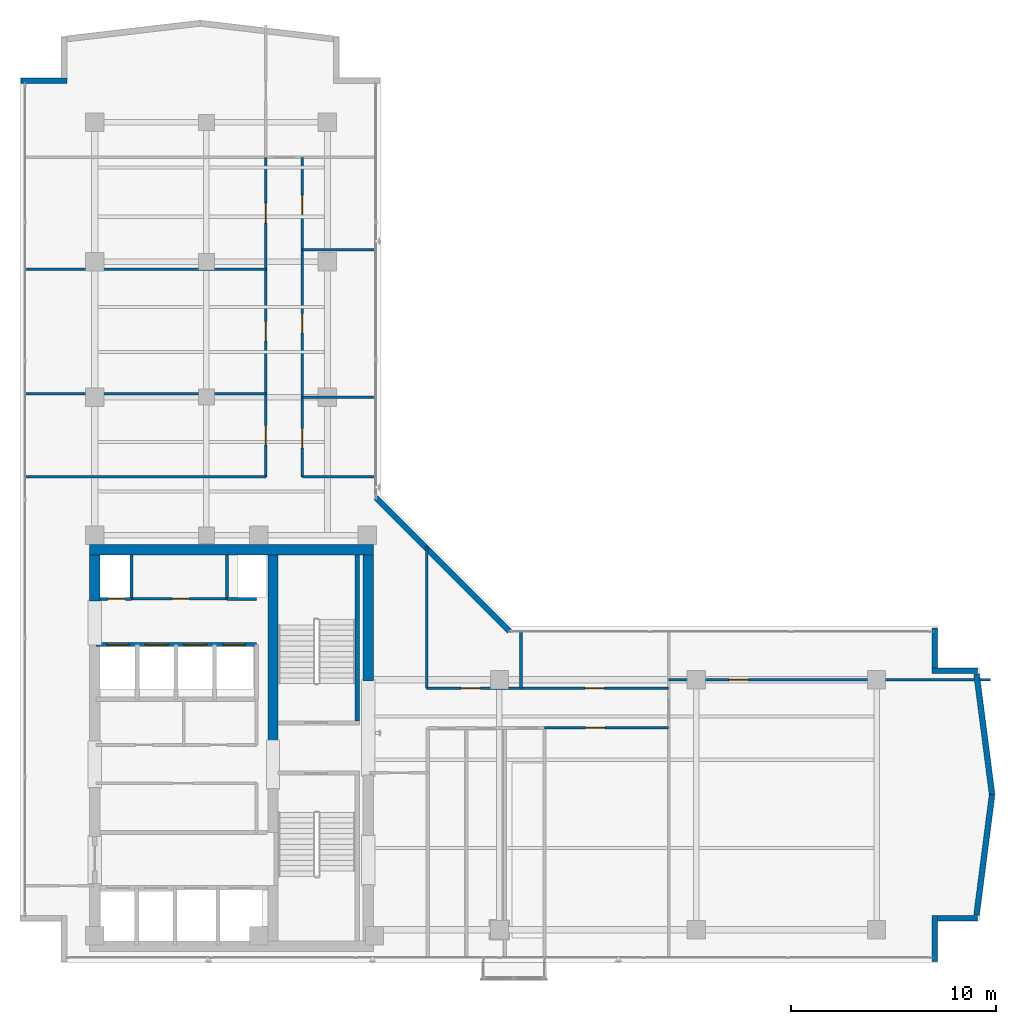
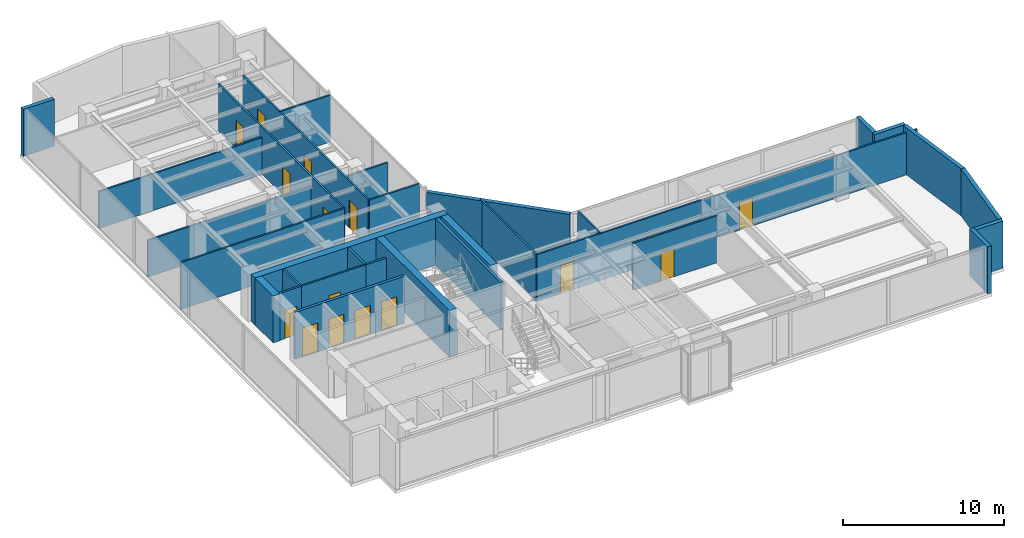
# One storey, part 18 of 22: 32 walls, 16 doors, 16 openings.
"""IFC4 building model written with IfcOpenShell, lengths in metres."""

from ifc_helpers import new_model, si_unit, direction, frame, frame_2d, origin, place, context, subcontext, project, spatial, rectangle, extrude, material, layer, layer_set, type_object, element, fill, save


model = new_model("IFC4")

# Units and contexts
model_context = context("Model", 3, precision=1e-05, world=origin(), true_north=direction((0.0, 1.0)))
body_context = subcontext(model_context, "Body", "Model", "MODEL_VIEW")
ifc_project = project(units=[si_unit("LENGTHUNIT", "METRE"), si_unit("AREAUNIT", "SQUARE_METRE"), si_unit("VOLUMEUNIT", "CUBIC_METRE"), si_unit("PLANEANGLEUNIT", "RADIAN"), si_unit("MASSUNIT", "GRAM", prefix="KILO")], contexts=[model_context])

# Site, building, storey
site_placement = place(None, origin())
site = spatial("IfcSite", under=ifc_project, at=site_placement, CompositionType="ELEMENT")
building_placement = place(site_placement, origin())
building = spatial("IfcBuilding", under=site, at=building_placement, Name="Kolvaren Waterfront Exchange", CompositionType="ELEMENT")
storey_placement = place(building_placement, frame((0.0, 0.0, 262.800048828125)))
storey = spatial("IfcBuildingStorey", under=building, at=storey_placement, Name="L67", CompositionType="ELEMENT", Elevation=262.800048828125)

# Walls
ifc_material_1 = material(Name="Precast concrete C40/50", Category="concrete")
ifc_layer_1 = layer(ifc_material_1, 0.280029296875, Name="Precast concrete C40/50")
ifc_layer_set_1 = layer_set([ifc_layer_1], Name="Precast concrete C40/50")
wall_type_1 = type_object("IfcWallType", Name="ARC-EXT-TERR-280", PredefinedType="SOLIDWALL", material=ifc_layer_set_1)
wall_1_placement = place(storey_placement, frame((48.43994140625, 3.659912109375, 0.0), z_axis=(0.0, 0.0, 1.0), x_axis=(0.0, 1.0, 0.0)))
element("IfcWall", 1, at=wall_1_placement, inside=storey, type_object=wall_type_1, Name="L67 notched corner spandrel pier SE-A", PredefinedType="SOLIDWALL", context=body_context, shape_type="SweptSolid", body=[
    extrude(rectangle(XDim=2.239990234375, YDim=0.280029296875, at=frame_2d((1.1201171875, 0.0))), origin(), (0.0, 0.0, 1.0), 3.56005859375),
])
wall_2_placement = place(storey_placement, frame((48.580078125, 5.760009765625, 0.0), z_axis=(0.0, 0.0, 1.0), x_axis=(1.0, 0.0, 0.0)))
element("IfcWall", 2, at=wall_2_placement, inside=storey, type_object=wall_type_1, Name="L67 notched corner spandrel pier SE-B", PredefinedType="SOLIDWALL", context=body_context, shape_type="SweptSolid", body=[
    extrude(rectangle(XDim=1.9599609375, YDim=0.280029296875, at=frame_2d((0.97998046875, 0.0))), origin(), (0.0, 0.0, 1.0), 3.56005859375),
])
wall_3_placement = place(storey_placement, frame((48.43994140625, 17.965087890625, 0.0), z_axis=(0.0, 0.0, 1.0), x_axis=(0.0, 1.0, 0.0)))
element("IfcWall", 3, at=wall_3_placement, inside=storey, type_object=wall_type_1, Name="L67 notched corner spandrel pier ENE-A", PredefinedType="SOLIDWALL", context=body_context, shape_type="SweptSolid", body=[
    extrude(rectangle(XDim=1.974853515625, YDim=0.280029296875, at=frame_2d((0.9873046875, 0.0))), origin(), (0.0, 0.0, 1.0), 3.56005859375),
])
for number, where, z_axis, x_axis, name in (
    (4, (48.300048828125, 17.840087890625, 0.0), (0.0, 0.0, 1.0), (1.0, 0.0, 0.0), "L67 notched corner spandrel pier ENE-B"),
    (5, (3.860107421875, 46.639892578125, 0.0), (0.0, 0.0, 1.0), (1.0, 0.0, 0.0), "L67 notched corner spandrel pier NW-A"),
):
    element("IfcWall", number, at=place(storey_placement, frame(where, z_axis=z_axis, x_axis=x_axis)), inside=storey, type_object=wall_type_1, Name=name, PredefinedType="SOLIDWALL", context=body_context, shape_type="SweptSolid", body=[
        extrude(rectangle(XDim=2.239990234375, YDim=0.280029296875, at=frame_2d((1.1201171875, 0.0))), origin(), (0.0, 0.0, 1.0), 3.56005859375),
    ])
wall_4_placement = place(storey_placement, frame((27.68505859375, 19.77490234375, 0.0), z_axis=(0.0, 0.0, 1.0), x_axis=(-0.707106781187, 0.707106781187, 0.0)))
element("IfcWall", 6, at=wall_4_placement, inside=storey, type_object=wall_type_1, Name="L67 notched corner spandrel pier ELBOW", PredefinedType="SOLIDWALL", context=body_context, shape_type="SweptSolid", body=[
    extrude(rectangle(XDim=9.20654296875, YDim=0.280029296875, at=frame_2d((4.603271484375, 0.0))), origin(), (0.0, 0.0, 1.0), 3.56005859375),
])
for number, where, z_axis, x_axis, name in (
    (7, (50.479736328125, 5.91796875, 0.0), (0.0, 0.0, 1.0), (0.127970031595, 0.991778035154, 0.0), "L67 east prow faceted facade wall 1"),
    (8, (51.23876953125, 11.79931640625, 0.0), (0.0, 0.0, 1.0), (-0.127970031595, 0.991778035154, 0.0), "L67 east prow faceted facade wall 2"),
):
    element("IfcWall", number, at=place(storey_placement, frame(where, z_axis=z_axis, x_axis=x_axis)), inside=storey, type_object=wall_type_1, Name=name, PredefinedType="SOLIDWALL", context=body_context, shape_type="SweptSolid", body=[
        extrude(rectangle(XDim=5.931396484375, YDim=0.280029296875, at=frame_2d((2.9658203125, 0.0))), origin(), (0.0, 0.0, 1.0), 3.56005859375),
    ])

# Wall, opening, door
ifc_material_2 = material(Name="Acoustic gypsum steel stud", Category="steel")
ifc_layer_2 = layer(ifc_material_2, 0.125, Name="Acoustic gypsum steel stud")
ifc_layer_set_2 = layer_set([ifc_layer_2], Name="Acoustic gypsum steel stud")
wall_type_2 = type_object("IfcWallType", Name="ARC-PART-125", PredefinedType="PARTITIONING", material=ifc_layer_set_2)
wall_5_placement = place(storey_placement, frame((9.25, 21.35009765625, 0.0), z_axis=(0.0, 0.0, 1.0), x_axis=(1.0, 0.0, 0.0)))
wall_5 = element("IfcWall", 9, at=wall_5_placement, inside=storey, type_object=wall_type_2, Name="L67 interior wall PW-L67-SVC-HI-S", PredefinedType="PARTITIONING", context=body_context, shape_type="SweptSolid", body=[
    extrude(rectangle(XDim=4.64990234375, YDim=0.125, at=frame_2d((2.324951171875, 0.0))), origin(), (0.0, 0.0, 1.0), 3.56005859375),
])
opening_1_placement = place(wall_5_placement, frame((1.971435546875, 0.0, 0.0)))
opening_1 = element("IfcOpeningElement", 10, at=opening_1_placement, cuts=wall_5, Name="Opening D01", PredefinedType="OPENING", context=body_context, shape_type="SweptSolid", body=[
    extrude(rectangle(XDim=0.85009765625, YDim=2.14990234375, at=frame_2d((0.425048828125, 1.074951171875))), frame((0.0, 0.072509765625, 0.0), z_axis=(0.0, -1.0, 0.0), x_axis=(1.0, 0.0, 0.0)), (0.0, 0.0, 1.0), 0.14501953125),
])
ifc_material_3 = material(Name="Oak veneer timber leaf", Category="wood")
door_type_1 = type_object("IfcDoorType", Name="ARC-DR-900", OperationType="NOTDEFINED", PredefinedType="DOOR", material=ifc_material_3)
door_1_placement = place(opening_1_placement, origin())
door_1 = element("IfcDoor", 11, at=door_1_placement, inside=storey, type_object=door_type_1, Name="L67 door DR-L67-SVC-DR-1 (D01)", OperationType="SINGLE_SWING_RIGHT", OverallHeight=2.14990234375, OverallWidth=0.85009765625, PredefinedType="DOOR", context=body_context, shape_type="SweptSolid", body=[
    extrude(rectangle(XDim=0.85009765625, YDim=2.14990234375, at=frame_2d((0.425048828125, 1.074951171875))), frame((0.0, 0.02490234375, 0.0), z_axis=(0.0, -1.0, 0.0), x_axis=(1.0, 0.0, 0.0)), (0.0, 0.0, 1.0), 0.050048828125),
])
fill(opening_1, door_1)

wall_6_placement = place(storey_placement, frame((29.39990234375, 15.050048828125, 0.0), z_axis=(0.0, 0.0, 1.0), x_axis=(1.0, 0.0, 0.0)))
wall_6 = element("IfcWall", 12, at=wall_6_placement, inside=storey, type_object=wall_type_2, Name="L67 interior wall PW-L67-ES-CORR", PredefinedType="PARTITIONING", context=body_context, shape_type="SweptSolid", body=[
    extrude(rectangle(XDim=6.050048828125, YDim=0.125, at=frame_2d((3.02490234375, 0.0))), origin(), (0.0, 0.0, 1.0), 3.56005859375),
])
opening_2_placement = place(wall_6_placement, frame((2.002197265625, 0.0, 0.0)))
opening_2 = element("IfcOpeningElement", 13, at=opening_2_placement, cuts=wall_6, Name="Opening D02", PredefinedType="OPENING", context=body_context, shape_type="SweptSolid", body=[
    extrude(rectangle(XDim=0.949951171875, YDim=2.14990234375, at=frame_2d((0.47509765625, 1.074951171875))), frame((0.0, 0.072509765625, 0.0), z_axis=(0.0, -1.0, 0.0), x_axis=(1.0, 0.0, 0.0)), (0.0, 0.0, 1.0), 0.14501953125),
])
ifc_material_4 = material(Name="Oak veneer acoustic timber", Category="wood")
door_type_2 = type_object("IfcDoorType", Name="ARC-DR-950", OperationType="NOTDEFINED", PredefinedType="DOOR", material=ifc_material_4)
door_2_placement = place(opening_2_placement, origin())
door_2 = element("IfcDoor", 14, at=door_2_placement, inside=storey, type_object=door_type_2, Name="L67 door DR-L67-ES-D-1 (D02)", OperationType="SINGLE_SWING_RIGHT", OverallHeight=2.14990234375, OverallWidth=0.949951171875, PredefinedType="DOOR", context=body_context, shape_type="SweptSolid", body=[
    extrude(rectangle(XDim=0.949951171875, YDim=2.14990234375, at=frame_2d((0.47509765625, 1.074951171875))), frame((0.0, 0.02490234375, 0.0), z_axis=(0.0, -1.0, 0.0), x_axis=(1.0, 0.0, 0.0)), (0.0, 0.0, 1.0), 0.050048828125),
])
fill(opening_2, door_2)

wall_7_placement = place(storey_placement, frame((35.449951171875, 17.39990234375, 0.0), z_axis=(0.0, 0.0, 1.0), x_axis=(1.0, 0.0, 0.0)))
wall_7 = element("IfcWall", 15, at=wall_7_placement, inside=storey, type_object=wall_type_2, Name="L67 interior wall PW-L67-ETIP-MID", PredefinedType="PARTITIONING", context=body_context, shape_type="SweptSolid", body=[
    extrude(rectangle(XDim=15.7099609375, YDim=0.125, at=frame_2d((7.85498046875, 0.0))), origin(), (0.0, 0.0, 1.0), 3.199951171875),
])
opening_3_placement = place(wall_7_placement, frame((2.949951171875, 0.0, 0.0)))
opening_3 = element("IfcOpeningElement", 16, at=opening_3_placement, cuts=wall_7, Name="Opening D02", PredefinedType="OPENING", context=body_context, shape_type="SweptSolid", body=[
    extrude(rectangle(XDim=0.949951171875, YDim=2.14990234375, at=frame_2d((0.47509765625, 1.074951171875))), frame((0.0, 0.072509765625, 0.0), z_axis=(0.0, -1.0, 0.0), x_axis=(1.0, 0.0, 0.0)), (0.0, 0.0, 1.0), 0.14501953125),
])
door_3_placement = place(opening_3_placement, origin())
door_3 = element("IfcDoor", 17, at=door_3_placement, inside=storey, type_object=door_type_2, Name="L67 door DR-L67-ETIP2-D (D02)", OperationType="SINGLE_SWING_RIGHT", OverallHeight=2.14990234375, OverallWidth=0.949951171875, PredefinedType="DOOR", context=body_context, shape_type="SweptSolid", body=[
    extrude(rectangle(XDim=0.949951171875, YDim=2.14990234375, at=frame_2d((0.47509765625, 1.074951171875))), frame((0.0, 0.02490234375, 0.0), z_axis=(0.0, -1.0, 0.0), x_axis=(1.0, 0.0, 0.0)), (0.0, 0.0, 1.0), 0.050048828125),
])
fill(opening_3, door_3)

# Wall
wall_8_placement = place(storey_placement, frame((23.64990234375, 16.989990234375, 0.0), z_axis=(0.0, 0.0, 1.0), x_axis=(0.0, 1.0, 0.0)))
element("IfcWall", 18, at=wall_8_placement, inside=storey, type_object=wall_type_2, Name="L67 interior wall PW-L67-EN-W0", PredefinedType="PARTITIONING", context=body_context, shape_type="SweptSolid", body=[
    extrude(rectangle(XDim=6.919921875, YDim=0.125, at=frame_2d((3.4599609375, 0.0))), origin(), (0.0, 0.0, 1.0), 3.56005859375),
])

# Wall, openings, doors
wall_9_placement = place(storey_placement, frame((23.64990234375, 16.989990234375, 0.0), z_axis=(0.0, 0.0, 1.0), x_axis=(1.0, 0.0, 0.0)))
wall_9 = element("IfcWall", 19, at=wall_9_placement, inside=storey, type_object=wall_type_2, Name="L67 interior wall PW-L67-EN-CORR", PredefinedType="PARTITIONING", context=body_context, shape_type="SweptSolid", body=[
    extrude(rectangle(XDim=11.800048828125, YDim=0.125, at=frame_2d((5.89990234375, 0.0))), origin(), (0.0, 0.0, 1.0), 3.56005859375),
])
opening_4_placement = place(wall_9_placement, frame((1.6826171875, 0.0, 0.0)))
opening_4 = element("IfcOpeningElement", 20, at=opening_4_placement, cuts=wall_9, Name="Opening D02", PredefinedType="OPENING", context=body_context, shape_type="SweptSolid", body=[
    extrude(rectangle(XDim=0.949951171875, YDim=2.14990234375, at=frame_2d((0.47509765625, 1.074951171875))), frame((0.0, 0.072509765625, 0.0), z_axis=(0.0, -1.0, 0.0), x_axis=(1.0, 0.0, 0.0)), (0.0, 0.0, 1.0), 0.14501953125),
])
opening_5_placement = place(wall_9_placement, frame((7.72509765625, 0.0, 0.0)))
opening_5 = element("IfcOpeningElement", 21, at=opening_5_placement, cuts=wall_9, Name="Opening D02", PredefinedType="OPENING", context=body_context, shape_type="SweptSolid", body=[
    extrude(rectangle(XDim=0.949951171875, YDim=2.14990234375, at=frame_2d((0.47509765625, 1.074951171875))), frame((0.0, 0.072509765625, 0.0), z_axis=(0.0, -1.0, 0.0), x_axis=(1.0, 0.0, 0.0)), (0.0, 0.0, 1.0), 0.14501953125),
])
door_4_placement = place(opening_4_placement, origin())
door_4 = element("IfcDoor", 22, at=door_4_placement, inside=storey, type_object=door_type_2, Name="L67 door DR-L67-EN-D-1 (D02)", OperationType="SINGLE_SWING_LEFT", OverallHeight=2.14990234375, OverallWidth=0.949951171875, PredefinedType="DOOR", context=body_context, shape_type="SweptSolid", body=[
    extrude(rectangle(XDim=0.949951171875, YDim=2.14990234375, at=frame_2d((0.47509765625, 1.074951171875))), frame((0.0, 0.02490234375, 0.0), z_axis=(0.0, -1.0, 0.0), x_axis=(1.0, 0.0, 0.0)), (0.0, 0.0, 1.0), 0.050048828125),
])
fill(opening_4, door_4)
door_5_placement = place(opening_5_placement, origin())
door_5 = element("IfcDoor", 23, at=door_5_placement, inside=storey, type_object=door_type_2, Name="L67 door DR-L67-EN-D-2 (D02)", OperationType="SINGLE_SWING_RIGHT", OverallHeight=2.14990234375, OverallWidth=0.949951171875, PredefinedType="DOOR", context=body_context, shape_type="SweptSolid", body=[
    extrude(rectangle(XDim=0.949951171875, YDim=2.14990234375, at=frame_2d((0.47509765625, 1.074951171875))), frame((0.0, 0.02490234375, 0.0), z_axis=(0.0, -1.0, 0.0), x_axis=(1.0, 0.0, 0.0)), (0.0, 0.0, 1.0), 0.050048828125),
])
fill(opening_5, door_5)

# Walls
wall_10_placement = place(storey_placement, frame((28.25, 16.989990234375, 0.0), z_axis=(0.0, 0.0, 1.0), x_axis=(0.0, 1.0, 0.0)))
element("IfcWall", 24, at=wall_10_placement, inside=storey, type_object=wall_type_2, Name="L67 interior wall PW-L67-EN-DIV-1", PredefinedType="PARTITIONING", context=body_context, shape_type="SweptSolid", body=[
    extrude(rectangle(XDim=2.77001953125, YDim=0.125, at=frame_2d((1.385009765625, 0.0))), origin(), (0.0, 0.0, 1.0), 3.56005859375),
])
wall_11_placement = place(storey_placement, frame((4.0400390625, 27.300048828125, 0.0), z_axis=(0.0, 0.0, 1.0), x_axis=(1.0, 0.0, 0.0)))
element("IfcWall", 25, at=wall_11_placement, inside=storey, type_object=wall_type_2, Name="L67 interior wall PW-L67-NW-S0", PredefinedType="PARTITIONING", context=body_context, shape_type="SweptSolid", body=[
    extrude(rectangle(XDim=11.760009765625, YDim=0.125, at=frame_2d((5.8798828125, 0.0))), origin(), (0.0, 0.0, 1.0), 3.56005859375),
])

# Wall, openings, doors
wall_12_placement = place(storey_placement, frame((15.800048828125, 27.300048828125, 0.0), z_axis=(0.0, 0.0, 1.0), x_axis=(0.0, 1.0, 0.0)))
wall_12 = element("IfcWall", 26, at=wall_12_placement, inside=storey, type_object=wall_type_2, Name="L67 interior wall PW-L67-NW-CORR", PredefinedType="PARTITIONING", context=body_context, shape_type="SweptSolid", body=[
    extrude(rectangle(XDim=15.599853515625, YDim=0.125, at=frame_2d((7.7998046875, 0.0))), origin(), (0.0, 0.0, 1.0), 3.56005859375),
])
opening_6_placement = place(wall_12_placement, frame((1.554931640625, 0.0, 0.0)))
opening_6 = element("IfcOpeningElement", 27, at=opening_6_placement, cuts=wall_12, Name="Opening D02", PredefinedType="OPENING", context=body_context, shape_type="SweptSolid", body=[
    extrude(rectangle(XDim=0.949951171875, YDim=2.14990234375, at=frame_2d((0.47509765625, 1.074951171875))), frame((0.0, 0.072509765625, 0.0), z_axis=(0.0, -1.0, 0.0), x_axis=(1.0, 0.0, 0.0)), (0.0, 0.0, 1.0), 0.14501953125),
])
opening_7_placement = place(wall_12_placement, frame((6.625, 0.0, 0.0)))
opening_7 = element("IfcOpeningElement", 28, at=opening_7_placement, cuts=wall_12, Name="Opening D02", PredefinedType="OPENING", context=body_context, shape_type="SweptSolid", body=[
    extrude(rectangle(XDim=0.949951171875, YDim=2.14990234375, at=frame_2d((0.47509765625, 1.074951171875))), frame((0.0, 0.072509765625, 0.0), z_axis=(0.0, -1.0, 0.0), x_axis=(1.0, 0.0, 0.0)), (0.0, 0.0, 1.0), 0.14501953125),
])
opening_8_placement = place(wall_12_placement, frame((12.39501953125, 0.0, 0.0)))
opening_8 = element("IfcOpeningElement", 29, at=opening_8_placement, cuts=wall_12, Name="Opening D02", PredefinedType="OPENING", context=body_context, shape_type="SweptSolid", body=[
    extrude(rectangle(XDim=0.949951171875, YDim=2.14990234375, at=frame_2d((0.47509765625, 1.074951171875))), frame((0.0, 0.072509765625, 0.0), z_axis=(0.0, -1.0, 0.0), x_axis=(1.0, 0.0, 0.0)), (0.0, 0.0, 1.0), 0.14501953125),
])
door_6_placement = place(opening_6_placement, origin())
door_6 = element("IfcDoor", 30, at=door_6_placement, inside=storey, type_object=door_type_2, Name="L67 door DR-L67-NW-D-1 (D02)", OperationType="SINGLE_SWING_LEFT", OverallHeight=2.14990234375, OverallWidth=0.949951171875, PredefinedType="DOOR", context=body_context, shape_type="SweptSolid", body=[
    extrude(rectangle(XDim=0.949951171875, YDim=2.14990234375, at=frame_2d((0.47509765625, 1.074951171875))), frame((0.0, 0.02490234375, 0.0), z_axis=(0.0, -1.0, 0.0), x_axis=(1.0, 0.0, 0.0)), (0.0, 0.0, 1.0), 0.050048828125),
])
fill(opening_6, door_6)
door_7_placement = place(opening_7_placement, origin())
door_7 = element("IfcDoor", 31, at=door_7_placement, inside=storey, type_object=door_type_2, Name="L67 door DR-L67-NW-D-2 (D02)", OperationType="SINGLE_SWING_RIGHT", OverallHeight=2.14990234375, OverallWidth=0.949951171875, PredefinedType="DOOR", context=body_context, shape_type="SweptSolid", body=[
    extrude(rectangle(XDim=0.949951171875, YDim=2.14990234375, at=frame_2d((0.47509765625, 1.074951171875))), frame((0.0, 0.02490234375, 0.0), z_axis=(0.0, -1.0, 0.0), x_axis=(1.0, 0.0, 0.0)), (0.0, 0.0, 1.0), 0.050048828125),
])
fill(opening_7, door_7)
door_8_placement = place(opening_8_placement, origin())
door_8 = element("IfcDoor", 32, at=door_8_placement, inside=storey, type_object=door_type_2, Name="L67 door DR-L67-NW-D-3 (D02)", OperationType="SINGLE_SWING_LEFT", OverallHeight=2.14990234375, OverallWidth=0.949951171875, PredefinedType="DOOR", context=body_context, shape_type="SweptSolid", body=[
    extrude(rectangle(XDim=0.949951171875, YDim=2.14990234375, at=frame_2d((0.47509765625, 1.074951171875))), frame((0.0, 0.02490234375, 0.0), z_axis=(0.0, -1.0, 0.0), x_axis=(1.0, 0.0, 0.0)), (0.0, 0.0, 1.0), 0.050048828125),
])
fill(opening_8, door_8)

# Walls
for number, where, z_axis, x_axis, name in (
    (33, (4.0400390625, 31.360107421875, 0.0), (0.0, 0.0, 1.0), (1.0, 0.0, 0.0), "L67 interior wall PW-L67-NW-DIV-1"),
    (34, (4.0400390625, 37.43994140625, 0.0), (0.0, 0.0, 1.0), (1.0, 0.0, 0.0), "L67 interior wall PW-L67-NW-DIV-2"),
):
    element("IfcWall", number, at=place(storey_placement, frame(where, z_axis=z_axis, x_axis=x_axis)), inside=storey, type_object=wall_type_2, Name=name, PredefinedType="PARTITIONING", context=body_context, shape_type="SweptSolid", body=[
        extrude(rectangle(XDim=11.760009765625, YDim=0.125, at=frame_2d((5.8798828125, 0.0))), origin(), (0.0, 0.0, 1.0), 2.7978515625),
    ])
wall_13_placement = place(storey_placement, frame((17.580078125, 27.300048828125, 0.0), z_axis=(0.0, 0.0, 1.0), x_axis=(1.0, 0.0, 0.0)))
element("IfcWall", 35, at=wall_13_placement, inside=storey, type_object=wall_type_2, Name="L67 interior wall PW-L67-NE-S0", PredefinedType="PARTITIONING", context=body_context, shape_type="SweptSolid", body=[
    extrude(rectangle(XDim=3.579833984375, YDim=0.125, at=frame_2d((1.7900390625, 0.0))), origin(), (0.0, 0.0, 1.0), 3.56005859375),
])

# Wall, openings, doors
wall_14_placement = place(storey_placement, frame((17.580078125, 27.300048828125, 0.0), z_axis=(0.0, 0.0, 1.0), x_axis=(0.0, 1.0, 0.0)))
wall_14 = element("IfcWall", 36, at=wall_14_placement, inside=storey, type_object=wall_type_2, Name="L67 interior wall PW-L67-NE-CORR", PredefinedType="PARTITIONING", context=body_context, shape_type="SweptSolid", body=[
    extrude(rectangle(XDim=15.599853515625, YDim=0.125, at=frame_2d((7.7998046875, 0.0))), origin(), (0.0, 0.0, 1.0), 3.56005859375),
])
opening_9_placement = place(wall_14_placement, frame((1.4033203125, 0.0, 0.0)))
opening_9 = element("IfcOpeningElement", 37, at=opening_9_placement, cuts=wall_14, Name="Opening D02", PredefinedType="OPENING", context=body_context, shape_type="SweptSolid", body=[
    extrude(rectangle(XDim=0.949951171875, YDim=2.14990234375, at=frame_2d((0.47509765625, 1.074951171875))), frame((0.0, 0.072509765625, 0.0), z_axis=(0.0, -1.0, 0.0), x_axis=(1.0, 0.0, 0.0)), (0.0, 0.0, 1.0), 0.14501953125),
])
opening_10_placement = place(wall_14_placement, frame((7.014892578125, 0.0, 0.0)))
opening_10 = element("IfcOpeningElement", 38, at=opening_10_placement, cuts=wall_14, Name="Opening D02", PredefinedType="OPENING", context=body_context, shape_type="SweptSolid", body=[
    extrude(rectangle(XDim=0.949951171875, YDim=2.14990234375, at=frame_2d((0.47509765625, 1.074951171875))), frame((0.0, 0.072509765625, 0.0), z_axis=(0.0, -1.0, 0.0), x_axis=(1.0, 0.0, 0.0)), (0.0, 0.0, 1.0), 0.14501953125),
])
opening_11_placement = place(wall_14_placement, frame((12.7919921875, 0.0, 0.0)))
opening_11 = element("IfcOpeningElement", 39, at=opening_11_placement, cuts=wall_14, Name="Opening D02", PredefinedType="OPENING", context=body_context, shape_type="SweptSolid", body=[
    extrude(rectangle(XDim=0.949951171875, YDim=2.14990234375, at=frame_2d((0.47509765625, 1.074951171875))), frame((0.0, 0.072509765625, 0.0), z_axis=(0.0, -1.0, 0.0), x_axis=(1.0, 0.0, 0.0)), (0.0, 0.0, 1.0), 0.14501953125),
])
door_9_placement = place(opening_9_placement, origin())
door_9 = element("IfcDoor", 40, at=door_9_placement, inside=storey, type_object=door_type_2, Name="L67 door DR-L67-NE-D-1 (D02)", OperationType="SINGLE_SWING_RIGHT", OverallHeight=2.14990234375, OverallWidth=0.949951171875, PredefinedType="DOOR", context=body_context, shape_type="SweptSolid", body=[
    extrude(rectangle(XDim=0.949951171875, YDim=2.14990234375, at=frame_2d((0.47509765625, 1.074951171875))), frame((0.0, 0.02490234375, 0.0), z_axis=(0.0, -1.0, 0.0), x_axis=(1.0, 0.0, 0.0)), (0.0, 0.0, 1.0), 0.050048828125),
])
fill(opening_9, door_9)
door_10_placement = place(opening_10_placement, origin())
door_10 = element("IfcDoor", 41, at=door_10_placement, inside=storey, type_object=door_type_2, Name="L67 door DR-L67-NE-D-2 (D02)", OperationType="SINGLE_SWING_LEFT", OverallHeight=2.14990234375, OverallWidth=0.949951171875, PredefinedType="DOOR", context=body_context, shape_type="SweptSolid", body=[
    extrude(rectangle(XDim=0.949951171875, YDim=2.14990234375, at=frame_2d((0.47509765625, 1.074951171875))), frame((0.0, 0.02490234375, 0.0), z_axis=(0.0, -1.0, 0.0), x_axis=(1.0, 0.0, 0.0)), (0.0, 0.0, 1.0), 0.050048828125),
])
fill(opening_10, door_10)
door_11_placement = place(opening_11_placement, origin())
door_11 = element("IfcDoor", 42, at=door_11_placement, inside=storey, type_object=door_type_2, Name="L67 door DR-L67-NE-D-3 (D02)", OperationType="SINGLE_SWING_RIGHT", OverallHeight=2.14990234375, OverallWidth=0.949951171875, PredefinedType="DOOR", context=body_context, shape_type="SweptSolid", body=[
    extrude(rectangle(XDim=0.949951171875, YDim=2.14990234375, at=frame_2d((0.47509765625, 1.074951171875))), frame((0.0, 0.02490234375, 0.0), z_axis=(0.0, -1.0, 0.0), x_axis=(1.0, 0.0, 0.0)), (0.0, 0.0, 1.0), 0.050048828125),
])
fill(opening_11, door_11)

# Walls
wall_15_placement = place(storey_placement, frame((17.580078125, 31.199951171875, 0.0), z_axis=(0.0, 0.0, 1.0), x_axis=(1.0, 0.0, 0.0)))
element("IfcWall", 43, at=wall_15_placement, inside=storey, type_object=wall_type_2, Name="L67 interior wall PW-L67-NE-DIV-1", PredefinedType="PARTITIONING", context=body_context, shape_type="SweptSolid", body=[
    extrude(rectangle(XDim=3.579833984375, YDim=0.125, at=frame_2d((1.7900390625, 0.0))), origin(), (0.0, 0.0, 1.0), 2.7978515625),
])
wall_16_placement = place(storey_placement, frame((17.580078125, 38.3798828125, 0.0), z_axis=(0.0, 0.0, 1.0), x_axis=(1.0, 0.0, 0.0)))
element("IfcWall", 44, at=wall_16_placement, inside=storey, type_object=wall_type_2, Name="L67 interior wall PW-L67-NE-DIV-2", PredefinedType="PARTITIONING", context=body_context, shape_type="SweptSolid", body=[
    extrude(rectangle(XDim=3.579833984375, YDim=0.125, at=frame_2d((1.7900390625, 0.0))), origin(), (0.0, 0.0, 1.0), 3.56005859375),
])
ifc_material_5 = material(Name="Gypsum fireboard steel stud", Category="steel")
ifc_layer_3 = layer(ifc_material_5, 0.14990234375, Name="Gypsum fireboard steel stud")
ifc_layer_set_3 = layer_set([ifc_layer_3], Name="Gypsum fireboard steel stud")
wall_type_3 = type_object("IfcWallType", Name="ARC-PART-150", PredefinedType="PARTITIONING", material=ifc_layer_set_3)
for number, where, z_axis, x_axis, name in (
    (45, (9.25, 21.35009765625, 0.0), (0.0, 0.0, 1.0), (0.0, 1.0, 0.0), "L67 interior wall PW-L67-SVC-R1"),
    (46, (13.89990234375, 21.35009765625, 0.0), (0.0, 0.0, 1.0), (0.0, 1.0, 0.0), "L67 interior wall PW-L67-SVC-R2"),
):
    element("IfcWall", number, at=place(storey_placement, frame(where, z_axis=z_axis, x_axis=x_axis)), inside=storey, type_object=wall_type_3, Name=name, PredefinedType="PARTITIONING", context=body_context, shape_type="SweptSolid", body=[
        extrude(rectangle(XDim=2.1298828125, YDim=0.14990234375, at=frame_2d((1.06494140625, 0.0))), origin(), (0.0, 0.0, 1.0), 3.56005859375),
    ])

# Wall, opening, door
wall_17_placement = place(storey_placement, frame((7.699951171875, 21.35009765625, 0.0), z_axis=(0.0, 0.0, 1.0), x_axis=(1.0, 0.0, 0.0)))
wall_17 = element("IfcWall", 47, at=wall_17_placement, inside=storey, type_object=wall_type_3, Name="L67 interior wall PW-L67-SVC-RE-S", PredefinedType="PARTITIONING", context=body_context, shape_type="SweptSolid", body=[
    extrude(rectangle(XDim=1.550048828125, YDim=0.14990234375, at=frame_2d((0.77490234375, 0.0))), origin(), (0.0, 0.0, 1.0), 3.56005859375),
])
opening_12_placement = place(wall_17_placement, frame((0.389892578125, 0.0, 0.0)))
opening_12 = element("IfcOpeningElement", 48, at=opening_12_placement, cuts=wall_17, Name="Opening FD1", PredefinedType="OPENING", context=body_context, shape_type="SweptSolid", body=[
    extrude(rectangle(XDim=0.85009765625, YDim=2.14990234375, at=frame_2d((0.425048828125, 1.074951171875))), frame((0.0, 0.0849609375, 0.0), z_axis=(0.0, -1.0, 0.0), x_axis=(1.0, 0.0, 0.0)), (0.0, 0.0, 1.0), 0.169921875),
])
ifc_material_6 = material(Name="Pressed steel fire leaf", Category="steel")
door_type_3 = type_object("IfcDoorType", Name="ARC-FD-900", OperationType="NOTDEFINED", PredefinedType="DOOR", material=ifc_material_6)
door_12_placement = place(opening_12_placement, origin())
door_12 = element("IfcDoor", 49, at=door_12_placement, inside=storey, type_object=door_type_3, Name="L67 door DR-L67-RISER-E-DR (FD1)", OperationType="SINGLE_SWING_LEFT", OverallHeight=2.14990234375, OverallWidth=0.85009765625, PredefinedType="DOOR", context=body_context, shape_type="SweptSolid", body=[
    extrude(rectangle(XDim=0.85009765625, YDim=2.14990234375, at=frame_2d((0.425048828125, 1.074951171875))), frame((0.0, 0.02490234375, 0.0), z_axis=(0.0, -1.0, 0.0), x_axis=(1.0, 0.0, 0.0)), (0.0, 0.0, 1.0), 0.050048828125),
])
fill(opening_12, door_12)

# Walls
wall_18_placement = place(storey_placement, frame((13.89990234375, 21.35009765625, 0.0), z_axis=(0.0, 0.0, 1.0), x_axis=(1.0, 0.0, 0.0)))
element("IfcWall", 50, at=wall_18_placement, inside=storey, type_object=wall_type_3, Name="L67 interior wall PW-L67-SVC-RP-S", PredefinedType="PARTITIONING", context=body_context, shape_type="SweptSolid", body=[
    extrude(rectangle(XDim=1.4501953125, YDim=0.14990234375, at=frame_2d((0.72509765625, 0.0))), origin(), (0.0, 0.0, 1.0), 3.56005859375),
])
ifc_material_7 = material(Name="Concrete C40/50", Category="concrete")
ifc_layer_4 = layer(ifc_material_7, 0.199951171875, Name="Concrete C40/50")
ifc_layer_set_4 = layer_set([ifc_layer_4], Name="Concrete C40/50")
wall_type_4 = type_object("IfcWallType", Name="ARC-SHAFT-200", PredefinedType="PARTITIONING", material=ifc_layer_set_4)
wall_19_placement = place(storey_placement, frame((20.260009765625, 15.39990234375, 0.0), z_axis=(0.0, 0.0, 1.0), x_axis=(0.0, 1.0, 0.0)))
element("IfcWall", 51, at=wall_19_placement, inside=storey, type_object=wall_type_4, Name="L67 structural stairwell wall PW-L67-ST2-E", PredefinedType="SHEAR", context=body_context, shape_type="SweptSolid", body=[
    extrude(rectangle(XDim=8.090087890625, YDim=0.199951171875, at=frame_2d((4.044921875, 0.0))), origin(), (0.0, 0.0, 1.0), 3.56005859375),
])

# Wall, openings, doors
wall_20_placement = place(storey_placement, frame((7.5, 19.1201171875, 0.0), z_axis=(0.0, 0.0, 1.0), x_axis=(1.0, 0.0, 0.0)))
wall_20 = element("IfcWall", 52, at=wall_20_placement, inside=storey, type_object=wall_type_4, Name="L67 interior wall PW-L67-PH-N", PredefinedType="PARTITIONING", context=body_context, shape_type="SweptSolid", body=[
    extrude(rectangle(XDim=7.85009765625, YDim=0.199951171875, at=frame_2d((3.925048828125, 0.0))), origin(), (0.0, 0.0, 1.0), 3.56005859375),
])
opening_13_placement = place(wall_20_placement, frame((0.530029296875, 0.0, 0.0)))
opening_13 = element("IfcOpeningElement", 53, at=opening_13_placement, cuts=wall_20, Name="Opening LD2", PredefinedType="OPENING", context=body_context, shape_type="SweptSolid", body=[
    extrude(rectangle(XDim=1.10009765625, YDim=2.199951171875, at=frame_2d((0.550048828125, 1.10009765625))), frame((0.0, 0.10986328125, 0.0), z_axis=(0.0, -1.0, 0.0), x_axis=(1.0, 0.0, 0.0)), (0.0, 0.0, 1.0), 0.219970703125),
])
opening_14_placement = place(wall_20_placement, frame((2.419921875, 0.0, 0.0)))
opening_14 = element("IfcOpeningElement", 54, at=opening_14_placement, cuts=wall_20, Name="Opening LD2", PredefinedType="OPENING", context=body_context, shape_type="SweptSolid", body=[
    extrude(rectangle(XDim=1.10009765625, YDim=2.199951171875, at=frame_2d((0.550048828125, 1.10009765625))), frame((0.0, 0.10986328125, 0.0), z_axis=(0.0, -1.0, 0.0), x_axis=(1.0, 0.0, 0.0)), (0.0, 0.0, 1.0), 0.219970703125),
])
opening_15_placement = place(wall_20_placement, frame((4.31005859375, 0.0, 0.0)))
opening_15 = element("IfcOpeningElement", 55, at=opening_15_placement, cuts=wall_20, Name="Opening LD2", PredefinedType="OPENING", context=body_context, shape_type="SweptSolid", body=[
    extrude(rectangle(XDim=1.10009765625, YDim=2.199951171875, at=frame_2d((0.550048828125, 1.10009765625))), frame((0.0, 0.10986328125, 0.0), z_axis=(0.0, -1.0, 0.0), x_axis=(1.0, 0.0, 0.0)), (0.0, 0.0, 1.0), 0.219970703125),
])
opening_16_placement = place(wall_20_placement, frame((6.199951171875, 0.0, 0.0)))
opening_16 = element("IfcOpeningElement", 56, at=opening_16_placement, cuts=wall_20, Name="Opening LD2", PredefinedType="OPENING", context=body_context, shape_type="SweptSolid", body=[
    extrude(rectangle(XDim=1.10009765625, YDim=2.199951171875, at=frame_2d((0.550048828125, 1.10009765625))), frame((0.0, 0.10986328125, 0.0), z_axis=(0.0, -1.0, 0.0), x_axis=(1.0, 0.0, 0.0)), (0.0, 0.0, 1.0), 0.219970703125),
])
ifc_material_8 = material(Name="Brushed bronze sliding landing door", Category="aluminium")
door_type_4 = type_object("IfcDoorType", Name="ARC-LD-PAX", OperationType="SLIDING_TO_LEFT", PredefinedType="DOOR", material=ifc_material_8)
door_13_placement = place(opening_13_placement, origin())
door_13 = element("IfcDoor", 57, at=door_13_placement, inside=storey, type_object=door_type_4, Name="L67 door LD-L67-PH1 (LD2)", OperationType="SLIDING_TO_LEFT", OverallHeight=2.199951171875, OverallWidth=1.10009765625, PredefinedType="DOOR", context=body_context, shape_type="SweptSolid", body=[
    extrude(rectangle(XDim=1.10009765625, YDim=2.199951171875, at=frame_2d((0.550048828125, 1.10009765625))), frame((0.0, 0.02490234375, 0.0), z_axis=(0.0, -1.0, 0.0), x_axis=(1.0, 0.0, 0.0)), (0.0, 0.0, 1.0), 0.050048828125),
])
fill(opening_13, door_13)
door_14_placement = place(opening_14_placement, origin())
door_14 = element("IfcDoor", 58, at=door_14_placement, inside=storey, type_object=door_type_4, Name="L67 door LD-L67-PH2 (LD2)", OperationType="SLIDING_TO_LEFT", OverallHeight=2.199951171875, OverallWidth=1.10009765625, PredefinedType="DOOR", context=body_context, shape_type="SweptSolid", body=[
    extrude(rectangle(XDim=1.10009765625, YDim=2.199951171875, at=frame_2d((0.550048828125, 1.10009765625))), frame((0.0, 0.02490234375, 0.0), z_axis=(0.0, -1.0, 0.0), x_axis=(1.0, 0.0, 0.0)), (0.0, 0.0, 1.0), 0.050048828125),
])
fill(opening_14, door_14)
door_15_placement = place(opening_15_placement, origin())
door_15 = element("IfcDoor", 59, at=door_15_placement, inside=storey, type_object=door_type_4, Name="L67 door LD-L67-PH3 (LD2)", OperationType="SLIDING_TO_LEFT", OverallHeight=2.199951171875, OverallWidth=1.10009765625, PredefinedType="DOOR", context=body_context, shape_type="SweptSolid", body=[
    extrude(rectangle(XDim=1.10009765625, YDim=2.199951171875, at=frame_2d((0.550048828125, 1.10009765625))), frame((0.0, 0.02490234375, 0.0), z_axis=(0.0, -1.0, 0.0), x_axis=(1.0, 0.0, 0.0)), (0.0, 0.0, 1.0), 0.050048828125),
])
fill(opening_15, door_15)
door_16_placement = place(opening_16_placement, origin())
door_16 = element("IfcDoor", 60, at=door_16_placement, inside=storey, type_object=door_type_4, Name="L67 door LD-L67-PH4 (LD2)", OperationType="SLIDING_TO_LEFT", OverallHeight=2.199951171875, OverallWidth=1.10009765625, PredefinedType="DOOR", context=body_context, shape_type="SweptSolid", body=[
    extrude(rectangle(XDim=1.10009765625, YDim=2.199951171875, at=frame_2d((0.550048828125, 1.10009765625))), frame((0.0, 0.02490234375, 0.0), z_axis=(0.0, -1.0, 0.0), x_axis=(1.0, 0.0, 0.0)), (0.0, 0.0, 1.0), 0.050048828125),
])
fill(opening_16, door_16)

# Walls
ifc_material_9 = material(Name="Concrete C50/60", Category="concrete")
ifc_layer_5 = layer(ifc_material_9, 0.5, Name="Concrete C50/60")
ifc_layer_set_5 = layer_set([ifc_layer_5], Name="Concrete C50/60")
wall_type_5 = type_object("IfcWallType", Name="STR-CWALL-500", PredefinedType="SHEAR", material=ifc_layer_set_5)
wall_21_placement = place(storey_placement, frame((7.199951171875, 23.75, 0.0), z_axis=(0.0, 0.0, 1.0), x_axis=(1.0, 0.0, 0.0)))
element("IfcWall", 61, at=wall_21_placement, inside=storey, type_object=wall_type_5, Name="L67 rear-core shear wall N", PredefinedType="SHEAR", context=body_context, shape_type="SweptSolid", body=[
    extrude(rectangle(XDim=13.85009765625, YDim=0.5, at=frame_2d((6.925048828125, 0.0))), origin(), (0.0, 0.0, 1.0), 3.56005859375),
])
wall_22_placement = place(storey_placement, frame((7.449951171875, 21.239990234375, 0.0), z_axis=(0.0, 0.0, 1.0), x_axis=(0.0, 1.0, 0.0)))
element("IfcWall", 62, at=wall_22_placement, inside=storey, type_object=wall_type_5, Name="L67 rear-core shear wall W3", PredefinedType="SHEAR", context=body_context, shape_type="SweptSolid", body=[
    extrude(rectangle(XDim=2.260009765625, YDim=0.5, at=frame_2d((1.1298828125, 0.0))), origin(), (0.0, 0.0, 1.0), 3.56005859375),
])
wall_23_placement = place(storey_placement, frame((20.800048828125, 17.35009765625, 0.0), z_axis=(0.0, 0.0, 1.0), x_axis=(0.0, 1.0, 0.0)))
element("IfcWall", 63, at=wall_23_placement, inside=storey, type_object=wall_type_5, Name="L67 rear-core shear wall E3", PredefinedType="SHEAR", context=body_context, shape_type="SweptSolid", body=[
    extrude(rectangle(XDim=6.14990234375, YDim=0.5, at=frame_2d((3.074951171875, 0.0))), origin(), (0.0, 0.0, 1.0), 3.56005859375),
])
wall_24_placement = place(storey_placement, frame((16.14990234375, 14.39990234375, 0.0), z_axis=(0.0, 0.0, 1.0), x_axis=(0.0, 1.0, 0.0)))
element("IfcWall", 64, at=wall_24_placement, inside=storey, type_object=wall_type_5, Name="L67 rear-core shear wall M3", PredefinedType="SHEAR", context=body_context, shape_type="SweptSolid", body=[
    extrude(rectangle(XDim=9.10009765625, YDim=0.5, at=frame_2d((4.550048828125, 0.0))), origin(), (0.0, 0.0, 1.0), 3.56005859375),
])

save(model, "model.ifc")
